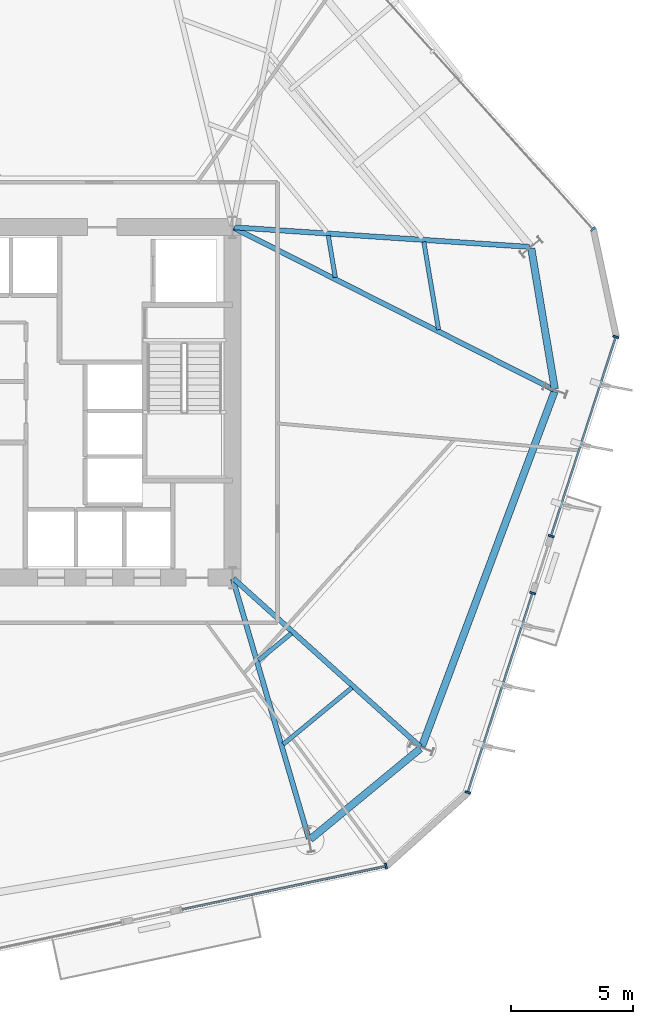
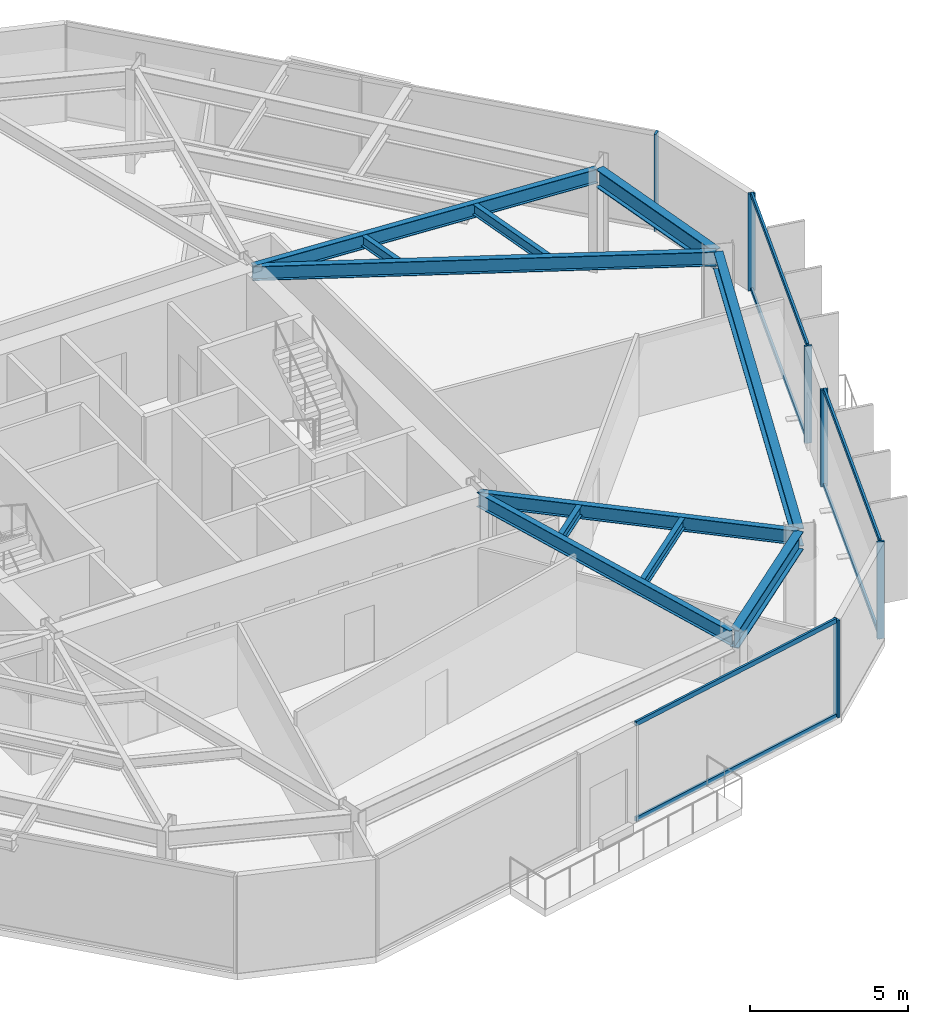
# One storey, part 3 of 10: 12 members, 11 beams, 4 elements without a shape of their own.
"""IFC4 building model written with IfcOpenShell, lengths in metres."""

from ifc_helpers import new_model, si_unit, direction, frame, origin, origin_2d, place, context, subcontext, project, spatial, rectangle, i_section, extrude, material, layer, layer_set, material_profile, profile_set, type_object, element, aggregate, save


model = new_model("IFC4")

# Units and contexts
model_context = context("Model", 3, precision=1e-05, world=origin(), true_north=direction((0.0, 1.0)))
body_context = subcontext(model_context, "Body", "Model", "MODEL_VIEW")
ifc_project = project(units=[si_unit("LENGTHUNIT", "METRE"), si_unit("AREAUNIT", "SQUARE_METRE"), si_unit("VOLUMEUNIT", "CUBIC_METRE"), si_unit("PLANEANGLEUNIT", "RADIAN"), si_unit("MASSUNIT", "GRAM", prefix="KILO")], contexts=[model_context])

# Site, building, storey
site_placement = place(None, origin())
site = spatial("IfcSite", under=ifc_project, at=site_placement, CompositionType="ELEMENT")
building_placement = place(site_placement, origin())
building = spatial("IfcBuilding", under=site, at=building_placement, Name="Kranzbogen Civic Tower", CompositionType="ELEMENT")
storey_placement = place(building_placement, frame((0.0, 0.0, 68.0)))
storey = spatial("IfcBuildingStorey", under=building, at=storey_placement, Name="L16", CompositionType="ELEMENT", Elevation=68.0)

# Curtain wall, member
ifc_material_1 = material(Name="Pale Anodised Aluminium", Category="aluminium")
ifc_layer = layer(ifc_material_1, 0.219970703125, Name="Pale Anodised Aluminium")
ifc_layer_set = layer_set([ifc_layer], Name="Pale Anodised Aluminium")
curtain_wall_type = type_object("IfcCurtainWallType", Name="Zone 1 Stick Curtain Wall System CW-02", PredefinedType="USERDEFINED", material=ifc_layer_set)
curtain_wall_1_placement = place(storey_placement, origin())
curtain_wall_1 = element("IfcCurtainWall", 1, at=curtain_wall_1_placement, inside=storey, type_object=curtain_wall_type, Name="L16 curtain wall CW-L16-F1", ObjectType="STICK CURTAIN WALL", PredefinedType="USERDEFINED")
ifc_material_profile_1 = material_profile(ifc_material_1, rectangle(XDim=0.080078125, YDim=0.239990234375, at=origin_2d()), Name="ALU-M 80x240")
ifc_profile_set_1 = profile_set([ifc_material_profile_1], Name="Pale Anodised Aluminium")
member_type_1 = type_object("IfcMemberType", Name="Curtain Wall Mullion ALU-M 80x240", PredefinedType="MULLION", material=ifc_profile_set_1)
member_1_placement = place(storey_placement, frame((47.616943359375, 32.120361328125, 0.0), z_axis=(0.0, 0.0, 1.0), x_axis=(-0.669115812041, 0.743158146074, 0.0)))
member_1 = element("IfcMember", 2, at=member_1_placement, type_object=member_type_1, Name="CW-02 mullion 1", PredefinedType="MULLION", context=body_context, shape_type="SweptSolid", body=[
    extrude(rectangle(XDim=0.080078125, YDim=0.239990234375, at=origin_2d()), origin(), (0.0, 0.0, 1.0), 3.760009765625),
])
aggregate(curtain_wall_1, [member_1])

curtain_wall_2_placement = place(storey_placement, origin())
curtain_wall_2 = element("IfcCurtainWall", 3, at=curtain_wall_2_placement, inside=storey, type_object=curtain_wall_type, Name="L16 curtain wall CW-L16-F5-S2", ObjectType="STICK CURTAIN WALL", PredefinedType="USERDEFINED")
member_2_placement = place(storey_placement, frame((39.112548828125, 5.94482421875, 0.0), z_axis=(0.0, 0.0, 1.0), x_axis=(0.978155334557, 0.207875302712, 0.0)))
member_2 = element("IfcMember", 4, at=member_2_placement, type_object=member_type_1, Name="CW-02 mullion 2", PredefinedType="MULLION", context=body_context, shape_type="SweptSolid", body=[
    extrude(rectangle(XDim=0.080078125, YDim=0.239990234375, at=origin_2d()), origin(), (0.0, 0.0, 1.0), 3.760009765625),
])

# Curtain wall, members
curtain_wall_3_placement = place(storey_placement, origin())
curtain_wall_3 = element("IfcCurtainWall", 5, at=curtain_wall_3_placement, inside=storey, type_object=curtain_wall_type, Name="L16 curtain wall CW-L16-F6-S1", ObjectType="STICK CURTAIN WALL", PredefinedType="USERDEFINED")
member_3_placement = place(storey_placement, frame((42.475341796875, 8.9736328125, 0.0), z_axis=(0.0, 0.0, 1.0), x_axis=(0.30905738889, 0.951043390373, 0.0)))
member_3 = element("IfcMember", 6, at=member_3_placement, type_object=member_type_1, Name="CW-02 mullion 1", PredefinedType="MULLION", context=body_context, shape_type="SweptSolid", body=[
    extrude(rectangle(XDim=0.080078125, YDim=0.239990234375, at=origin_2d()), origin(), (0.0, 0.0, 1.0), 3.760009765625),
])
member_4_placement = place(storey_placement, frame((45.13671875, 17.16357421875, 0.0), z_axis=(0.0, 0.0, 1.0), x_axis=(0.30905738889, 0.951043390373, 0.0)))
member_4 = element("IfcMember", 7, at=member_4_placement, type_object=member_type_1, Name="CW-02 mullion 2", PredefinedType="MULLION", context=body_context, shape_type="SweptSolid", body=[
    extrude(rectangle(XDim=0.080078125, YDim=0.239990234375, at=origin_2d()), origin(), (0.0, 0.0, 1.0), 3.760009765625),
])

curtain_wall_4_placement = place(storey_placement, origin())
curtain_wall_4 = element("IfcCurtainWall", 8, at=curtain_wall_4_placement, inside=storey, type_object=curtain_wall_type, Name="L16 curtain wall CW-L16-F6-S2", ObjectType="STICK CURTAIN WALL", PredefinedType="USERDEFINED")
member_5_placement = place(storey_placement, frame((45.897216796875, 19.50341796875, 0.0), z_axis=(0.0, 0.0, 1.0), x_axis=(0.30902349677, 0.951054403514, 0.0)))
member_5 = element("IfcMember", 9, at=member_5_placement, type_object=member_type_1, Name="CW-02 mullion 1", PredefinedType="MULLION", context=body_context, shape_type="SweptSolid", body=[
    extrude(rectangle(XDim=0.080078125, YDim=0.239990234375, at=origin_2d()), origin(), (0.0, 0.0, 1.0), 3.760009765625),
])
member_6_placement = place(storey_placement, frame((48.558837890625, 27.694580078125, 0.0), z_axis=(0.0, 0.0, 1.0), x_axis=(0.30902349677, 0.951054403514, 0.0)))
member_6 = element("IfcMember", 10, at=member_6_placement, type_object=member_type_1, Name="CW-02 mullion 2", PredefinedType="MULLION", context=body_context, shape_type="SweptSolid", body=[
    extrude(rectangle(XDim=0.080078125, YDim=0.239990234375, at=origin_2d()), origin(), (0.0, 0.0, 1.0), 3.760009765625),
])

# Member
ifc_material_profile_2 = material_profile(ifc_material_1, rectangle(XDim=0.080078125, YDim=0.179931640625, at=origin_2d()), Name="ALU-T 80x180")
ifc_profile_set_2 = profile_set([ifc_material_profile_2], Name="Pale Anodised Aluminium")
member_type_2 = type_object("IfcMemberType", Name="Curtain Wall Transom ALU-T 80x180", PredefinedType="USERDEFINED", material=ifc_profile_set_2)
member_7_placement = place(storey_placement, frame((30.716796875, 4.160400390625, 0.030029296875), z_axis=(0.978153990292, 0.20788162804, 0.0), x_axis=(-0.20788162804, 0.978153990292, 0.0)))
member_7 = element("IfcMember", 11, at=member_7_placement, type_object=member_type_2, Name="CW-02 transom 1.1", ObjectType="TRANSOM", PredefinedType="USERDEFINED", context=body_context, shape_type="SweptSolid", body=[
    extrude(rectangle(XDim=0.080078125, YDim=0.179931640625, at=origin_2d()), origin(), (0.0, 0.0, 1.0), 8.55322265625),
])

member_8_placement = place(storey_placement, frame((30.716796875, 4.160400390625, 3.72998046875), z_axis=(0.978153990292, 0.20788162804, 0.0), x_axis=(-0.20788162804, 0.978153990292, 0.0)))
member_8 = element("IfcMember", 12, at=member_8_placement, type_object=member_type_2, Name="CW-02 transom 1.2", ObjectType="TRANSOM", PredefinedType="USERDEFINED", context=body_context, shape_type="SweptSolid", body=[
    extrude(rectangle(XDim=0.080078125, YDim=0.179931640625, at=origin_2d()), origin(), (0.0, 0.0, 1.0), 8.55322265625),
])

aggregate(curtain_wall_2, [member_2, member_7, member_8])

member_9_placement = place(storey_placement, frame((42.484619140625, 9.001953125, 0.030029296875), z_axis=(0.30904152995, 0.951048543854, 0.0), x_axis=(-0.951048543854, 0.30904152995, 0.0)))
member_9 = element("IfcMember", 13, at=member_9_placement, type_object=member_type_2, Name="CW-02 transom 1.1", ObjectType="TRANSOM", PredefinedType="USERDEFINED", context=body_context, shape_type="SweptSolid", body=[
    extrude(rectangle(XDim=0.080078125, YDim=0.179931640625, at=origin_2d()), origin(), (0.0, 0.0, 1.0), 8.5517578125),
])

member_10_placement = place(storey_placement, frame((42.484619140625, 9.001953125, 3.72998046875), z_axis=(0.30904152995, 0.951048543854, 0.0), x_axis=(-0.951048543854, 0.30904152995, 0.0)))
member_10 = element("IfcMember", 14, at=member_10_placement, type_object=member_type_2, Name="CW-02 transom 1.2", ObjectType="TRANSOM", PredefinedType="USERDEFINED", context=body_context, shape_type="SweptSolid", body=[
    extrude(rectangle(XDim=0.080078125, YDim=0.179931640625, at=origin_2d()), origin(), (0.0, 0.0, 1.0), 8.5517578125),
])

aggregate(curtain_wall_3, [member_3, member_4, member_9, member_10])

member_11_placement = place(storey_placement, frame((45.906494140625, 19.531982421875, 0.030029296875), z_axis=(0.309033789518, 0.951051059058, 0.0), x_axis=(-0.951051059058, 0.309033789518, 0.0)))
member_11 = element("IfcMember", 15, at=member_11_placement, type_object=member_type_2, Name="CW-02 transom 1.1", ObjectType="TRANSOM", PredefinedType="USERDEFINED", context=body_context, shape_type="SweptSolid", body=[
    extrude(rectangle(XDim=0.080078125, YDim=0.179931640625, at=origin_2d()), origin(), (0.0, 0.0, 1.0), 8.552734375),
])

member_12_placement = place(storey_placement, frame((45.906494140625, 19.531982421875, 3.72998046875), z_axis=(0.309033789518, 0.951051059058, 0.0), x_axis=(-0.951051059058, 0.309033789518, 0.0)))
member_12 = element("IfcMember", 16, at=member_12_placement, type_object=member_type_2, Name="CW-02 transom 1.2", ObjectType="TRANSOM", PredefinedType="USERDEFINED", context=body_context, shape_type="SweptSolid", body=[
    extrude(rectangle(XDim=0.080078125, YDim=0.179931640625, at=origin_2d()), origin(), (0.0, 0.0, 1.0), 8.552734375),
])

aggregate(curtain_wall_4, [member_5, member_6, member_11, member_12])

# Beams
ifc_material_2 = material(Name="Steel S355", Category="steel")
ifc_material_profile_3 = material_profile(ifc_material_2, i_section(OverallWidth=0.300048828125, OverallDepth=0.699951171875, WebThickness=0.01708984375, FlangeThickness=0.031982421875, at=origin_2d()), Name="HEB 700")
ifc_profile_set_3 = profile_set([ifc_material_profile_3], Name="Steel S355")
beam_type_1 = type_object("IfcBeamType", Name="Perimeter Tube Spandrel Beam HEB 700", PredefinedType="SPANDREL", material=ifc_profile_set_3)
beam_1_placement = place(storey_placement, frame((36.00390625, 7.050048828125, 3.409912109375), z_axis=(0.77168336865, 0.636006901337, 0.0), x_axis=(-0.636006901337, 0.77168336865, 0.0)))
element("IfcBeam", 17, at=beam_1_placement, inside=storey, type_object=beam_type_1, Name="L16 perimeter spandrel beam 05", PredefinedType="SPANDREL", context=body_context, shape_type="SweptSolid", body=[
    extrude(i_section(OverallWidth=0.300048828125, OverallDepth=0.699951171875, WebThickness=0.01708984375, FlangeThickness=0.031982421875, at=origin_2d()), origin(), (0.0, 0.0, 1.0), 5.853515625),
])
beam_2_placement = place(storey_placement, frame((40.587890625, 10.866943359375, 3.409912109375), z_axis=(0.350172267932, 0.936685316833, 0.0), x_axis=(-0.936685316833, 0.350172267932, 0.0)))
element("IfcBeam", 18, at=beam_2_placement, inside=storey, type_object=beam_type_1, Name="L16 perimeter spandrel beam 06", PredefinedType="SPANDREL", context=body_context, shape_type="SweptSolid", body=[
    extrude(i_section(OverallWidth=0.300048828125, OverallDepth=0.699951171875, WebThickness=0.01708984375, FlangeThickness=0.031982421875, at=origin_2d()), origin(), (0.0, 0.0, 1.0), 15.55810546875),
])
beam_3_placement = place(storey_placement, frame((46.047119140625, 25.554931640625, 3.409912109375), z_axis=(-0.164913116942, 0.986308097838, 0.0), x_axis=(-0.986308097838, -0.164913116942, 0.0)))
element("IfcBeam", 19, at=beam_3_placement, inside=storey, type_object=beam_type_1, Name="L16 perimeter spandrel beam 07", PredefinedType="SPANDREL", context=body_context, shape_type="SweptSolid", body=[
    extrude(i_section(OverallWidth=0.300048828125, OverallDepth=0.699951171875, WebThickness=0.01708984375, FlangeThickness=0.031982421875, at=origin_2d()), origin(), (0.0, 0.0, 1.0), 5.85205078125),
])
ifc_material_profile_4 = material_profile(ifc_material_2, i_section(OverallWidth=0.2099609375, OverallDepth=0.550048828125, WebThickness=0.010986328125, FlangeThickness=0.01708984375, at=origin_2d()), Name="IPE 550")
ifc_profile_set_4 = profile_set([ifc_material_profile_4], Name="Steel S355")
beam_type_2 = type_object("IfcBeamType", Name="Radial Tower Floor Girder IPE 550", PredefinedType="BEAM", material=ifc_profile_set_4)
beam_4_placement = place(storey_placement, frame((35.94091796875, 7.070068359375, 3.485107421875), z_axis=(-0.280944131918, 0.959724124288, 0.0), x_axis=(-0.959724124288, -0.280944131918, 0.0)))
element("IfcBeam", 20, at=beam_4_placement, inside=storey, type_object=beam_type_2, Name="L16 radial floor girder 05", PredefinedType="BEAM", context=body_context, shape_type="SweptSolid", body=[
    extrude(i_section(OverallWidth=0.2099609375, OverallDepth=0.550048828125, WebThickness=0.010986328125, FlangeThickness=0.01708984375, at=origin_2d()), origin(), (0.0, 0.0, 1.0), 11.11962890625),
])
beam_5_placement = place(storey_placement, frame((40.52197265625, 10.85107421875, 3.485107421875), z_axis=(-0.743311776894, 0.668945141496, 0.0), x_axis=(-0.668945141496, -0.743311776894, 0.0)))
element("IfcBeam", 21, at=beam_5_placement, inside=storey, type_object=beam_type_2, Name="L16 radial floor girder 06", PredefinedType="BEAM", context=body_context, shape_type="SweptSolid", body=[
    extrude(i_section(OverallWidth=0.2099609375, OverallDepth=0.550048828125, WebThickness=0.010986328125, FlangeThickness=0.01708984375, at=origin_2d()), origin(), (0.0, 0.0, 1.0), 10.328125),
])
beam_6_placement = place(storey_placement, frame((46.0029296875, 25.52294921875, 3.485107421875), z_axis=(-0.892363219254, 0.451317942168, 0.0), x_axis=(-0.451317942168, -0.892363219254, 0.0)))
element("IfcBeam", 22, at=beam_6_placement, inside=storey, type_object=beam_type_2, Name="L16 radial floor girder 07", PredefinedType="BEAM", context=body_context, shape_type="SweptSolid", body=[
    extrude(i_section(OverallWidth=0.2099609375, OverallDepth=0.550048828125, WebThickness=0.010986328125, FlangeThickness=0.01708984375, at=origin_2d()), origin(), (0.0, 0.0, 1.0), 14.73486328125),
])
beam_7_placement = place(storey_placement, frame((45.011962890625, 31.389892578125, 3.485107421875), z_axis=(-0.99780674843, 0.066194356156, 0.0), x_axis=(-0.066194356156, -0.99780674843, 0.0)))
element("IfcBeam", 23, at=beam_7_placement, inside=storey, type_object=beam_type_2, Name="L16 radial floor girder 08", PredefinedType="BEAM", context=body_context, shape_type="SweptSolid", body=[
    extrude(i_section(OverallWidth=0.2099609375, OverallDepth=0.550048828125, WebThickness=0.010986328125, FlangeThickness=0.01708984375, at=origin_2d()), origin(), (0.0, 0.0, 1.0), 12.178466796875),
])
ifc_material_profile_5 = material_profile(ifc_material_2, i_section(OverallWidth=0.179931640625, OverallDepth=0.39990234375, WebThickness=0.008544921875, FlangeThickness=0.013427734375, at=origin_2d()), Name="IPE 400")
ifc_profile_set_5 = profile_set([ifc_material_profile_5], Name="Steel S355")
beam_type_3 = type_object("IfcBeamType", Name="Secondary Composite Floor Joist IPE 400", PredefinedType="JOIST", material=ifc_profile_set_5)
beam_8_placement = place(storey_placement, frame((34.883056640625, 10.947021484375, 3.56005859375), z_axis=(0.771712720426, 0.635971286406, 0.0), x_axis=(-0.635971286406, 0.771712720426, 0.0)))
element("IfcBeam", 24, at=beam_8_placement, inside=storey, type_object=beam_type_3, Name="L16 secondary floor joist 1.05", PredefinedType="JOIST", context=body_context, shape_type="SweptSolid", body=[
    extrude(i_section(OverallWidth=0.179931640625, OverallDepth=0.39990234375, WebThickness=0.008544921875, FlangeThickness=0.013427734375, at=origin_2d()), origin(), (0.0, 0.0, 1.0), 3.661865234375),
])
beam_9_placement = place(storey_placement, frame((33.8720703125, 14.39892578125, 3.56005859375), z_axis=(0.771773324836, 0.635897739477, 0.0), x_axis=(-0.635897739477, 0.771773324836, 0.0)))
element("IfcBeam", 25, at=beam_9_placement, inside=storey, type_object=beam_type_3, Name="L16 secondary floor joist 2.05", PredefinedType="JOIST", context=body_context, shape_type="SweptSolid", body=[
    extrude(i_section(OverallWidth=0.179931640625, OverallDepth=0.39990234375, WebThickness=0.008544921875, FlangeThickness=0.013427734375, at=origin_2d()), origin(), (0.0, 0.0, 1.0), 1.751953125),
])
beam_10_placement = place(storey_placement, frame((41.27099609375, 27.988037109375, 3.56005859375), z_axis=(-0.164928678379, 0.986305495802, 0.0), x_axis=(-0.986305495802, -0.164928678379, 0.0)))
element("IfcBeam", 26, at=beam_10_placement, inside=storey, type_object=beam_type_3, Name="L16 secondary floor joist 1.07", PredefinedType="JOIST", context=body_context, shape_type="SweptSolid", body=[
    extrude(i_section(OverallWidth=0.179931640625, OverallDepth=0.39990234375, WebThickness=0.008544921875, FlangeThickness=0.013427734375, at=origin_2d()), origin(), (0.0, 0.0, 1.0), 3.662109375),
])
beam_11_placement = place(storey_placement, frame((37.029052734375, 30.134033203125, 3.56005859375), z_axis=(-0.165077224104, 0.986280644686, 0.0), x_axis=(-0.986280644686, -0.165077224104, 0.0)))
element("IfcBeam", 27, at=beam_11_placement, inside=storey, type_object=beam_type_3, Name="L16 secondary floor joist 2.07", PredefinedType="JOIST", context=body_context, shape_type="SweptSolid", body=[
    extrude(i_section(OverallWidth=0.179931640625, OverallDepth=0.39990234375, WebThickness=0.008544921875, FlangeThickness=0.013427734375, at=origin_2d()), origin(), (0.0, 0.0, 1.0), 1.7509765625),
])

save(model, "model.ifc")
